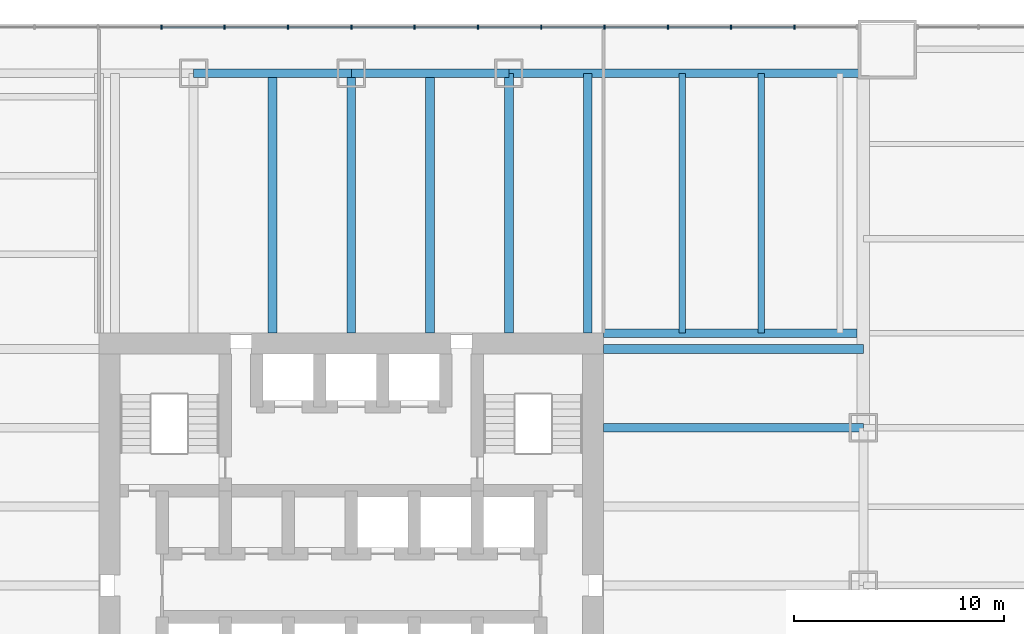
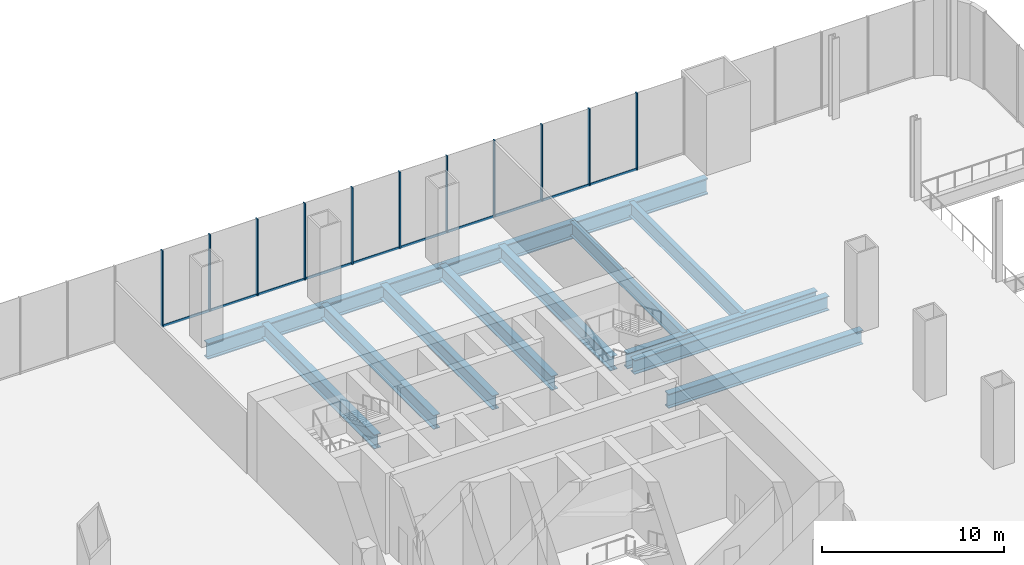
# One storey, part 7 of 16: 21 members, 13 beams, 1 element without a shape of its own.
"""IFC4 building model written with IfcOpenShell, lengths in metres."""

from ifc_helpers import new_model, si_unit, direction, frame, origin, origin_2d, place, context, subcontext, project, spatial, rectangle, i_section, extrude, material, material_profile, profile_set, type_object, element, aggregate, save


model = new_model("IFC4")

# Units and contexts
model_context = context("Model", 3, precision=1e-05, world=origin(), true_north=direction((0.0, 1.0)))
body_context = subcontext(model_context, "Body", "Model", "MODEL_VIEW")
ifc_project = project(units=[si_unit("LENGTHUNIT", "METRE"), si_unit("AREAUNIT", "SQUARE_METRE"), si_unit("VOLUMEUNIT", "CUBIC_METRE"), si_unit("PLANEANGLEUNIT", "RADIAN"), si_unit("MASSUNIT", "GRAM", prefix="KILO")], contexts=[model_context])

# Site, building, storey
site_placement = place(None, origin())
site = spatial("IfcSite", under=ifc_project, at=site_placement, CompositionType="ELEMENT")
building_placement = place(site_placement, origin())
building = spatial("IfcBuilding", under=site, at=building_placement, Name="Tarangal Relay Tower", CompositionType="ELEMENT")
storey_placement = place(building_placement, frame((0.0, 0.0, 7.199951171875)))
storey = spatial("IfcBuildingStorey", under=building, at=storey_placement, Name="L01", CompositionType="ELEMENT", Elevation=7.199951171875)

# Beams
ifc_material_1 = material(Name="Steel ASTM A992", Category="steel")
ifc_material_profile_1 = material_profile(ifc_material_1, i_section(OverallWidth=0.307373046875, OverallDepth=0.927001953125, WebThickness=0.019287109375, FlangeThickness=0.031982421875, at=origin_2d()), Name="W36X194")
ifc_profile_set_1 = profile_set([ifc_material_profile_1], Name="Steel ASTM A992")
beam_type_1 = type_object("IfcBeamType", Name="Corner beam W36X194", PredefinedType="JOIST", material=ifc_profile_set_1)
for number, where, z_axis, x_axis, name in (
    (1, (15.75, 12.0, -0.71337890625), (0.0, 1.0, 0.0), (-1.0, 0.0, 0.0), "Corner beam CB10 N L01"),
    (2, (19.5, 12.0, -0.71337890625), (0.0, 1.0, 0.0), (-1.0, 0.0, 0.0), "Corner beam CB10 N L01"),
):
    element("IfcBeam", number, at=place(storey_placement, frame(where, z_axis=z_axis, x_axis=x_axis)), inside=storey, type_object=beam_type_1, Name=name, PredefinedType="JOIST", context=body_context, shape_type="SweptSolid", body=[
        extrude(i_section(OverallWidth=0.307373046875, OverallDepth=0.927001953125, WebThickness=0.019287109375, FlangeThickness=0.031982421875, at=origin_2d()), origin(), (0.0, 0.0, 1.0), 12.364990234375),
    ])
ifc_material_profile_2 = material_profile(ifc_material_1, i_section(OverallWidth=0.408935546875, OverallDepth=1.04150390625, WebThickness=0.031005859375, FlangeThickness=0.055908203125, at=origin_2d()), Name="W40X397")
ifc_profile_set_2 = profile_set([ifc_material_profile_2], Name="Steel ASTM A992")
beam_type_2 = type_object("IfcBeamType", Name="Corner girder W40X397", PredefinedType="BEAM", material=ifc_profile_set_2)
beam_1_placement = place(storey_placement, frame((12.0, 12.0, -0.770751953125), z_axis=(1.0, 0.0, 0.0), x_axis=(0.0, 1.0, 0.0)))
element("IfcBeam", 3, at=beam_1_placement, inside=storey, type_object=beam_type_2, Name="Corner girder CG1 N L01", PredefinedType="BEAM", context=body_context, shape_type="SweptSolid", body=[
    extrude(i_section(OverallWidth=0.408935546875, OverallDepth=1.04150390625, WebThickness=0.031005859375, FlangeThickness=0.055908203125, at=origin_2d()), origin(), (0.0, 0.0, 1.0), 12.06494140625),
])
ifc_material_profile_3 = material_profile(ifc_material_1, i_section(OverallWidth=0.41650390625, OverallDepth=1.0693359375, WebThickness=0.0390625, FlangeThickness=0.070068359375, at=origin_2d()), Name="W40X503")
ifc_profile_set_3 = profile_set([ifc_material_profile_3], Name="Steel ASTM A992")
beam_type_3 = type_object("IfcBeamType", Name="Edge girder W40X503", PredefinedType="SPANDREL", material=ifc_profile_set_3)
for number, where, z_axis, x_axis, name in (
    (4, (-7.5, 24.364990234375, -0.78466796875), (1.0, 0.0, 0.0), (0.0, 1.0, 0.0), "Edge girder EG8 N L01"),
    (5, (0.0, 24.364990234375, -0.78466796875), (1.0, 0.0, 0.0), (0.0, 1.0, 0.0), "Edge girder EG8 N L01"),
):
    element("IfcBeam", number, at=place(storey_placement, frame(where, z_axis=z_axis, x_axis=x_axis)), inside=storey, type_object=beam_type_3, Name=name, PredefinedType="SPANDREL", context=body_context, shape_type="SweptSolid", body=[
        extrude(i_section(OverallWidth=0.41650390625, OverallDepth=1.0693359375, WebThickness=0.0390625, FlangeThickness=0.070068359375, at=origin_2d()), origin(), (0.0, 0.0, 1.0), 7.5),
    ])
beam_2_placement = place(storey_placement, frame((7.5, 24.364990234375, -0.78466796875), z_axis=(1.0, 0.0, 0.0), x_axis=(0.0, 1.0, 0.0)))
element("IfcBeam", 6, at=beam_2_placement, inside=storey, type_object=beam_type_3, Name="Edge girder EG8 N L01", PredefinedType="SPANDREL", context=body_context, shape_type="SweptSolid", body=[
    extrude(i_section(OverallWidth=0.41650390625, OverallDepth=1.0693359375, WebThickness=0.0390625, FlangeThickness=0.070068359375, at=origin_2d()), origin(), (0.0, 0.0, 1.0), 16.75),
])
ifc_material_profile_4 = material_profile(ifc_material_1, i_section(OverallWidth=0.42431640625, OverallDepth=0.947509765625, WebThickness=0.02392578125, FlangeThickness=0.042724609375, at=origin_2d()), Name="W36X302")
ifc_profile_set_4 = profile_set([ifc_material_profile_4], Name="Steel ASTM A992")
beam_type_4 = type_object("IfcBeamType", Name="Floor beam W36X302", PredefinedType="BEAM", material=ifc_profile_set_4)
for number, where, z_axis, x_axis, name in (
    (7, (-3.75, 12.0, -0.7236328125), (0.0, 1.0, 0.0), (-1.0, 0.0, 0.0), "Floor beam RB10 N L01"),
    (8, (0.0, 12.0, -0.7236328125), (0.0, 1.0, 0.0), (-1.0, 0.0, 0.0), "Floor beam RB10 N L01"),
    (9, (3.75, 12.0, -0.7236328125), (0.0, 1.0, 0.0), (-1.0, 0.0, 0.0), "Floor beam RB10 N L01"),
    (10, (7.5, 12.0, -0.7236328125), (0.0, 1.0, 0.0), (-1.0, 0.0, 0.0), "Floor beam RB10 N L01"),
    (11, (11.25, 12.0, -0.7236328125), (0.0, 1.0, 0.0), (-1.0, 0.0, 0.0), "Floor beam RB10 N L01"),
    (12, (12.0, 11.25, -0.7236328125), (1.0, 0.0, 0.0), (0.0, 1.0, 0.0), "Floor beam RB10 E L01"),
    (13, (12.0, 7.5, -0.7236328125), (1.0, 0.0, 0.0), (0.0, 1.0, 0.0), "Floor beam RB10 E L01"),
):
    element("IfcBeam", number, at=place(storey_placement, frame(where, z_axis=z_axis, x_axis=x_axis)), inside=storey, type_object=beam_type_4, Name=name, PredefinedType="BEAM", context=body_context, shape_type="SweptSolid", body=[
        extrude(i_section(OverallWidth=0.42431640625, OverallDepth=0.947509765625, WebThickness=0.02392578125, FlangeThickness=0.042724609375, at=origin_2d()), origin(), (0.0, 0.0, 1.0), 12.364990234375),
    ])

# Curtain wall, members
ifc_material_2 = material(Name="Unitised curtain wall, dark glass and black aluminium", Category="aluminium")
curtain_wall_type = type_object("IfcCurtainWallType", Name="Curtain wall CW-P", PredefinedType="USERDEFINED", material=ifc_material_2)
curtain_wall_placement = place(storey_placement, origin())
curtain_wall = element("IfcCurtainWall", 14, at=curtain_wall_placement, inside=storey, type_object=curtain_wall_type, Name="Curtain wall CW-P Podium N facade L01", ObjectType="UNITISED CURTAIN WALL", PredefinedType="USERDEFINED")
ifc_material_3 = material(Name="Black anodised aluminium mullion", Category="aluminium")
ifc_material_profile_5 = material_profile(ifc_material_3, rectangle(XDim=0.199951171875, YDim=0.070068359375, at=origin_2d()), Name="CW-PM 70X200")
ifc_profile_set_5 = profile_set([ifc_material_profile_5], Name="Black anodised aluminium mullion")
member_type_1 = type_object("IfcMemberType", Name="Mullion CW-P 70 x 200", PredefinedType="MULLION", material=ifc_profile_set_5)
member_1_placement = place(storey_placement, frame((21.08740234375, 26.550048828125, 0.0), z_axis=(0.0, 0.0, 1.0), x_axis=(0.0, -1.0, 0.0)))
member_1 = element("IfcMember", 15, at=member_1_placement, type_object=member_type_1, Name="CW-P mullion 2", PredefinedType="MULLION", context=body_context, shape_type="SweptSolid", body=[
    extrude(rectangle(XDim=0.199951171875, YDim=0.070068359375, at=origin_2d()), origin(), (0.0, 0.0, 1.0), 5.150146484375),
])
member_2_placement = place(storey_placement, frame((18.074951171875, 26.550048828125, 0.0), z_axis=(0.0, 0.0, 1.0), x_axis=(0.0, -1.0, 0.0)))
member_2 = element("IfcMember", 16, at=member_2_placement, type_object=member_type_1, Name="CW-P mullion 3", PredefinedType="MULLION", context=body_context, shape_type="SweptSolid", body=[
    extrude(rectangle(XDim=0.199951171875, YDim=0.070068359375, at=origin_2d()), origin(), (0.0, 0.0, 1.0), 5.150146484375),
])
member_3_placement = place(storey_placement, frame((15.0625, 26.550048828125, 0.0), z_axis=(0.0, 0.0, 1.0), x_axis=(0.0, -1.0, 0.0)))
member_3 = element("IfcMember", 17, at=member_3_placement, type_object=member_type_1, Name="CW-P mullion 4", PredefinedType="MULLION", context=body_context, shape_type="SweptSolid", body=[
    extrude(rectangle(XDim=0.199951171875, YDim=0.070068359375, at=origin_2d()), origin(), (0.0, 0.0, 1.0), 5.150146484375),
])
member_4_placement = place(storey_placement, frame((12.050048828125, 26.550048828125, 0.0), z_axis=(0.0, 0.0, 1.0), x_axis=(0.0, -1.0, 0.0)))
member_4 = element("IfcMember", 18, at=member_4_placement, type_object=member_type_1, Name="CW-P mullion 5", PredefinedType="MULLION", context=body_context, shape_type="SweptSolid", body=[
    extrude(rectangle(XDim=0.199951171875, YDim=0.070068359375, at=origin_2d()), origin(), (0.0, 0.0, 1.0), 5.150146484375),
])
member_5_placement = place(storey_placement, frame((9.03759765625, 26.550048828125, 0.0), z_axis=(0.0, 0.0, 1.0), x_axis=(0.0, -1.0, 0.0)))
member_5 = element("IfcMember", 19, at=member_5_placement, type_object=member_type_1, Name="CW-P mullion 6", PredefinedType="MULLION", context=body_context, shape_type="SweptSolid", body=[
    extrude(rectangle(XDim=0.199951171875, YDim=0.070068359375, at=origin_2d()), origin(), (0.0, 0.0, 1.0), 5.150146484375),
])
member_6_placement = place(storey_placement, frame((6.02490234375, 26.550048828125, 0.0), z_axis=(0.0, 0.0, 1.0), x_axis=(0.0, -1.0, 0.0)))
member_6 = element("IfcMember", 20, at=member_6_placement, type_object=member_type_1, Name="CW-P mullion 7", PredefinedType="MULLION", context=body_context, shape_type="SweptSolid", body=[
    extrude(rectangle(XDim=0.199951171875, YDim=0.070068359375, at=origin_2d()), origin(), (0.0, 0.0, 1.0), 5.150146484375),
])
member_7_placement = place(storey_placement, frame((3.012451171875, 26.550048828125, 0.0), z_axis=(0.0, 0.0, 1.0), x_axis=(0.0, -1.0, 0.0)))
member_7 = element("IfcMember", 21, at=member_7_placement, type_object=member_type_1, Name="CW-P mullion 8", PredefinedType="MULLION", context=body_context, shape_type="SweptSolid", body=[
    extrude(rectangle(XDim=0.199951171875, YDim=0.070068359375, at=origin_2d()), origin(), (0.0, 0.0, 1.0), 5.150146484375),
])
member_8_placement = place(storey_placement, frame((0.0, 26.550048828125, 0.0), z_axis=(0.0, 0.0, 1.0), x_axis=(0.0, -1.0, 0.0)))
member_8 = element("IfcMember", 22, at=member_8_placement, type_object=member_type_1, Name="CW-P mullion 9", PredefinedType="MULLION", context=body_context, shape_type="SweptSolid", body=[
    extrude(rectangle(XDim=0.199951171875, YDim=0.070068359375, at=origin_2d()), origin(), (0.0, 0.0, 1.0), 5.150146484375),
])
member_9_placement = place(storey_placement, frame((-3.012451171875, 26.550048828125, 0.0), z_axis=(0.0, 0.0, 1.0), x_axis=(0.0, -1.0, 0.0)))
member_9 = element("IfcMember", 23, at=member_9_placement, type_object=member_type_1, Name="CW-P mullion 10", PredefinedType="MULLION", context=body_context, shape_type="SweptSolid", body=[
    extrude(rectangle(XDim=0.199951171875, YDim=0.070068359375, at=origin_2d()), origin(), (0.0, 0.0, 1.0), 5.150146484375),
])
member_10_placement = place(storey_placement, frame((-6.02490234375, 26.550048828125, 0.0), z_axis=(0.0, 0.0, 1.0), x_axis=(0.0, -1.0, 0.0)))
member_10 = element("IfcMember", 24, at=member_10_placement, type_object=member_type_1, Name="CW-P mullion 11", PredefinedType="MULLION", context=body_context, shape_type="SweptSolid", body=[
    extrude(rectangle(XDim=0.199951171875, YDim=0.070068359375, at=origin_2d()), origin(), (0.0, 0.0, 1.0), 5.150146484375),
])
member_11_placement = place(storey_placement, frame((-9.03759765625, 26.550048828125, 0.0), z_axis=(0.0, 0.0, 1.0), x_axis=(0.0, -1.0, 0.0)))
member_11 = element("IfcMember", 25, at=member_11_placement, type_object=member_type_1, Name="CW-P mullion 12", PredefinedType="MULLION", context=body_context, shape_type="SweptSolid", body=[
    extrude(rectangle(XDim=0.199951171875, YDim=0.070068359375, at=origin_2d()), origin(), (0.0, 0.0, 1.0), 5.150146484375),
])
ifc_material_4 = material(Name="Black anodised aluminium transom", Category="aluminium")
ifc_material_profile_6 = material_profile(ifc_material_4, rectangle(XDim=0.070068359375, YDim=0.159912109375, at=origin_2d()), Name="CW-PT 70X160")
ifc_profile_set_6 = profile_set([ifc_material_profile_6], Name="Black anodised aluminium transom")
member_type_2 = type_object("IfcMemberType", Name="Transom CW-P 70 x 160", PredefinedType="USERDEFINED", material=ifc_profile_set_6)
member_12_placement = place(storey_placement, frame((21.052490234375, 26.550048828125, 0.03515625), z_axis=(-1.0, 0.0, 0.0), x_axis=(0.0, -1.0, 0.0)))
member_12 = element("IfcMember", 26, at=member_12_placement, type_object=member_type_2, Name="CW-P transom 2.1", ObjectType="TRANSOM", PredefinedType="USERDEFINED", context=body_context, shape_type="SweptSolid", body=[
    extrude(rectangle(XDim=0.070068359375, YDim=0.159912109375, at=origin_2d()), origin(), (0.0, 0.0, 1.0), 2.9423828125),
])
member_13_placement = place(storey_placement, frame((18.0400390625, 26.550048828125, 0.03515625), z_axis=(-1.0, 0.0, 0.0), x_axis=(0.0, -1.0, 0.0)))
member_13 = element("IfcMember", 27, at=member_13_placement, type_object=member_type_2, Name="CW-P transom 3.1", ObjectType="TRANSOM", PredefinedType="USERDEFINED", context=body_context, shape_type="SweptSolid", body=[
    extrude(rectangle(XDim=0.070068359375, YDim=0.159912109375, at=origin_2d()), origin(), (0.0, 0.0, 1.0), 2.942626953125),
])
member_14_placement = place(storey_placement, frame((15.027587890625, 26.550048828125, 0.03515625), z_axis=(-1.0, 0.0, 0.0), x_axis=(0.0, -1.0, 0.0)))
member_14 = element("IfcMember", 28, at=member_14_placement, type_object=member_type_2, Name="CW-P transom 4.1", ObjectType="TRANSOM", PredefinedType="USERDEFINED", context=body_context, shape_type="SweptSolid", body=[
    extrude(rectangle(XDim=0.070068359375, YDim=0.159912109375, at=origin_2d()), origin(), (0.0, 0.0, 1.0), 2.942626953125),
])
member_15_placement = place(storey_placement, frame((12.014892578125, 26.550048828125, 0.03515625), z_axis=(-1.0, 0.0, 0.0), x_axis=(0.0, -1.0, 0.0)))
member_15 = element("IfcMember", 29, at=member_15_placement, type_object=member_type_2, Name="CW-P transom 5.1", ObjectType="TRANSOM", PredefinedType="USERDEFINED", context=body_context, shape_type="SweptSolid", body=[
    extrude(rectangle(XDim=0.070068359375, YDim=0.159912109375, at=origin_2d()), origin(), (0.0, 0.0, 1.0), 2.9423828125),
])
member_16_placement = place(storey_placement, frame((9.00244140625, 26.550048828125, 0.03515625), z_axis=(-1.0, 0.0, 0.0), x_axis=(0.0, -1.0, 0.0)))
member_16 = element("IfcMember", 30, at=member_16_placement, type_object=member_type_2, Name="CW-P transom 6.1", ObjectType="TRANSOM", PredefinedType="USERDEFINED", context=body_context, shape_type="SweptSolid", body=[
    extrude(rectangle(XDim=0.070068359375, YDim=0.159912109375, at=origin_2d()), origin(), (0.0, 0.0, 1.0), 2.9423828125),
])
member_17_placement = place(storey_placement, frame((5.989990234375, 26.550048828125, 0.03515625), z_axis=(-1.0, 0.0, 0.0), x_axis=(0.0, -1.0, 0.0)))
member_17 = element("IfcMember", 31, at=member_17_placement, type_object=member_type_2, Name="CW-P transom 7.1", ObjectType="TRANSOM", PredefinedType="USERDEFINED", context=body_context, shape_type="SweptSolid", body=[
    extrude(rectangle(XDim=0.070068359375, YDim=0.159912109375, at=origin_2d()), origin(), (0.0, 0.0, 1.0), 2.9423828125),
])
member_18_placement = place(storey_placement, frame((2.9775390625, 26.550048828125, 0.03515625), z_axis=(-1.0, 0.0, 0.0), x_axis=(0.0, -1.0, 0.0)))
member_18 = element("IfcMember", 32, at=member_18_placement, type_object=member_type_2, Name="CW-P transom 8.1", ObjectType="TRANSOM", PredefinedType="USERDEFINED", context=body_context, shape_type="SweptSolid", body=[
    extrude(rectangle(XDim=0.070068359375, YDim=0.159912109375, at=origin_2d()), origin(), (0.0, 0.0, 1.0), 2.942626953125),
])
member_19_placement = place(storey_placement, frame((-0.034912109375, 26.550048828125, 0.03515625), z_axis=(-1.0, 0.0, 0.0), x_axis=(0.0, -1.0, 0.0)))
member_19 = element("IfcMember", 33, at=member_19_placement, type_object=member_type_2, Name="CW-P transom 9.1", ObjectType="TRANSOM", PredefinedType="USERDEFINED", context=body_context, shape_type="SweptSolid", body=[
    extrude(rectangle(XDim=0.070068359375, YDim=0.159912109375, at=origin_2d()), origin(), (0.0, 0.0, 1.0), 2.942626953125),
])
member_20_placement = place(storey_placement, frame((-3.047607421875, 26.550048828125, 0.03515625), z_axis=(-1.0, 0.0, 0.0), x_axis=(0.0, -1.0, 0.0)))
member_20 = element("IfcMember", 34, at=member_20_placement, type_object=member_type_2, Name="CW-P transom 10.1", ObjectType="TRANSOM", PredefinedType="USERDEFINED", context=body_context, shape_type="SweptSolid", body=[
    extrude(rectangle(XDim=0.070068359375, YDim=0.159912109375, at=origin_2d()), origin(), (0.0, 0.0, 1.0), 2.9423828125),
])
member_21_placement = place(storey_placement, frame((-6.06005859375, 26.550048828125, 0.03515625), z_axis=(-1.0, 0.0, 0.0), x_axis=(0.0, -1.0, 0.0)))
member_21 = element("IfcMember", 35, at=member_21_placement, type_object=member_type_2, Name="CW-P transom 11.1", ObjectType="TRANSOM", PredefinedType="USERDEFINED", context=body_context, shape_type="SweptSolid", body=[
    extrude(rectangle(XDim=0.070068359375, YDim=0.159912109375, at=origin_2d()), origin(), (0.0, 0.0, 1.0), 2.9423828125),
])
aggregate(curtain_wall, [member_1, member_2, member_3, member_4, member_5, member_6, member_7, member_8, member_9, member_10, member_11, member_12, member_13, member_14, member_15, member_16, member_17, member_18, member_19, member_20, member_21])

save(model, "model.ifc")
